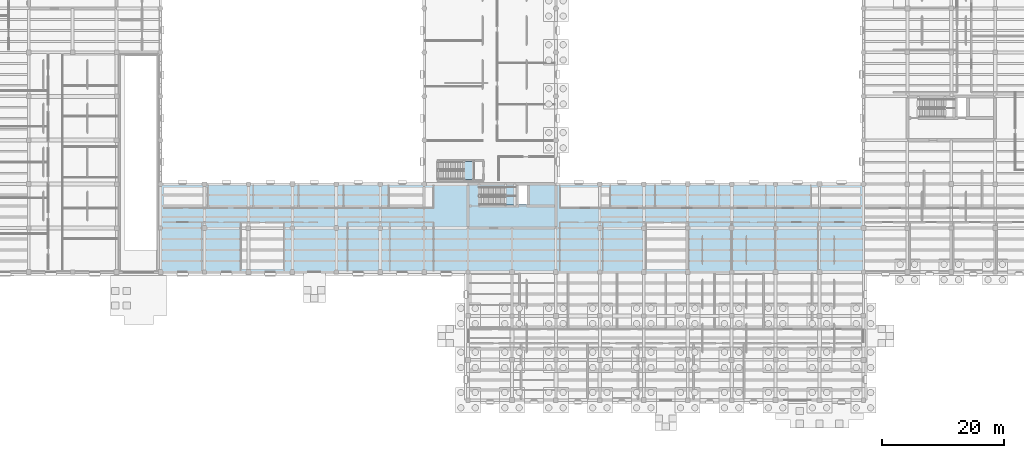
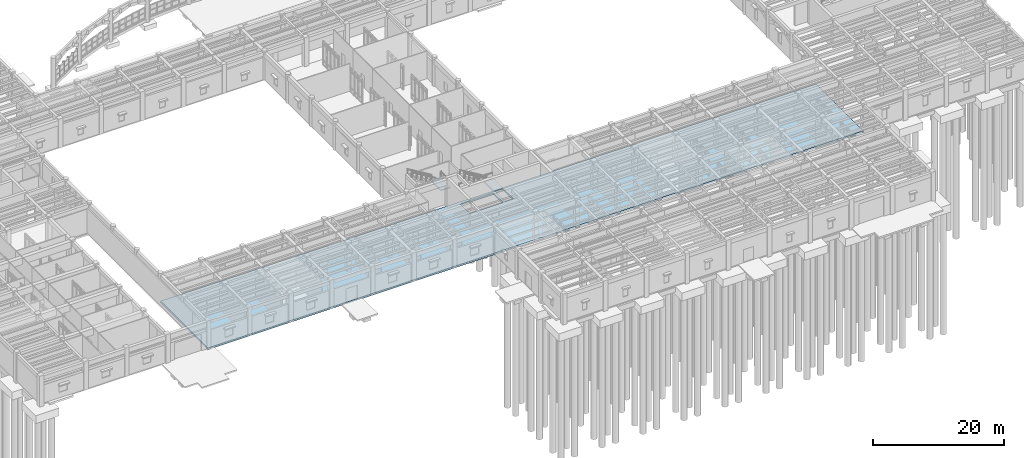
# One storey, part 53 of 100: 3 slabs, 2 elements without a shape of their own.
"""IFC4 building model written with IfcOpenShell, lengths in metres."""

from ifc_helpers import new_model, si_unit, direction, frame, origin, place, context, subcontext, project, spatial, polyline, outline, extrude, material, layer, layer_set, type_object, element, aggregate, save


model = new_model("IFC4")

# Units and contexts
model_context = context("Model", 3, precision=1e-05, world=origin(), true_north=direction((0.0, 1.0)))
body_context = subcontext(model_context, "Body", "Model", "MODEL_VIEW")
ifc_project = project(units=[si_unit("LENGTHUNIT", "METRE"), si_unit("AREAUNIT", "SQUARE_METRE"), si_unit("VOLUMEUNIT", "CUBIC_METRE"), si_unit("PLANEANGLEUNIT", "RADIAN"), si_unit("MASSUNIT", "GRAM", prefix="KILO")], contexts=[model_context])

# Site, building, storey
site_placement = place(None, origin())
site = spatial("IfcSite", under=ifc_project, at=site_placement, CompositionType="ELEMENT")
building_placement = place(site_placement, origin())
building = spatial("IfcBuilding", under=site, at=building_placement, Name="Mithqara Police Headquarters", CompositionType="ELEMENT")
storey_placement = place(building_placement, origin())
storey = spatial("IfcBuildingStorey", under=building, at=storey_placement, Name="L00", CompositionType="ELEMENT", Elevation=0.0)

# Slab
ifc_material = material(Name="Concrete C40/50", Category="concrete")
ifc_layer_1 = layer(ifc_material, 0.320068359375, Name="Concrete C40/50")
ifc_layer_set_1 = layer_set([ifc_layer_1], Name="Concrete C40/50")
slab_type_1 = type_object("IfcSlabType", Name="FLOOR SLAB 320", PredefinedType="FLOOR", material=ifc_layer_set_1)
slab_1_placement = place(storey_placement, frame((0.0, 0.0, -0.320068359375)))
element("IfcSlab", 1, at=slab_1_placement, inside=storey, type_object=slab_type_1, Name="L00 Structural Slab L00-V5S", PredefinedType="FLOOR", context=body_context, shape_type="SweptSolid", body=[
    extrude(outline(polyline([(144.60009765625, 35.39990234375), (144.60009765625, 21.0), (29.39990234375, 21.0), (29.39990234375, 35.39990234375), (72.60009765625, 35.39990234375), (94.199951171875, 35.39990234375), (144.60009765625, 35.39990234375)]), holes=[polyline([(81.75, 32.0), (87.60009765625, 32.0), (87.60009765625, 34.89990234375), (81.75, 34.89990234375), (81.75, 32.0)]), polyline([(89.449951171875, 32.070068359375), (89.449951171875, 35.14990234375), (88.030029296875, 35.14990234375), (88.030029296875, 32.070068359375), (89.449951171875, 32.070068359375)])]), origin(), (0.0, 0.0, 1.0), 0.320068359375),
])

# Stair, slab
stair_type_1 = type_object("IfcStairType", Name="STAIR ST 07-R32", PredefinedType="HALF_TURN_STAIR", material=ifc_material)
stair_1_placement = place(storey_placement, origin())
stair_1 = element("IfcStair", 2, at=stair_1_placement, inside=storey, type_object=stair_type_1, Name="L00 Core C5 Courtyard South Exit Stair", PredefinedType="HALF_TURN_STAIR")
ifc_layer_2 = layer(ifc_material, 0.199951171875, Name="Concrete C40/50")
ifc_layer_set_2 = layer_set([ifc_layer_2], Name="Concrete C40/50")
slab_type_2 = type_object("IfcSlabType", Name="STAIR LANDING 200", PredefinedType="LANDING", material=ifc_layer_set_2)
slab_2_placement = place(storey_placement, frame((0.0, 0.0, 2.5)))
slab_2 = element("IfcSlab", 3, at=slab_2_placement, type_object=slab_type_2, Name="ST-07 landing 1", PredefinedType="LANDING", context=body_context, shape_type="SweptSolid", body=[
    extrude(outline(polyline([(85.949951171875, 32.0), (87.60009765625, 32.0), (87.60009765625, 34.89990234375), (85.949951171875, 34.89990234375), (85.949951171875, 32.0)])), origin(), (0.0, 0.0, 1.0), 0.199951171875),
])
aggregate(stair_1, [slab_2])

stair_type_2 = type_object("IfcStairType", Name="STAIR ST 05-R32", PredefinedType="HALF_TURN_STAIR", material=ifc_material)
stair_2_placement = place(storey_placement, origin())
stair_2 = element("IfcStair", 4, at=stair_2_placement, inside=storey, type_object=stair_type_2, Name="L00 Public Entrance Hall Gallery Stair", PredefinedType="HALF_TURN_STAIR")
slab_3_placement = place(storey_placement, frame((0.0, 0.0, 2.5)))
slab_3 = element("IfcSlab", 5, at=slab_3_placement, type_object=slab_type_2, Name="ST-05 landing 1", PredefinedType="LANDING", context=body_context, shape_type="SweptSolid", body=[
    extrude(outline(polyline([(79.14990234375, 36.199951171875), (80.800048828125, 36.199951171875), (80.800048828125, 39.10009765625), (79.14990234375, 39.10009765625), (79.14990234375, 36.199951171875)])), origin(), (0.0, 0.0, 1.0), 0.199951171875),
])
aggregate(stair_2, [slab_3])

save(model, "model.ifc")
